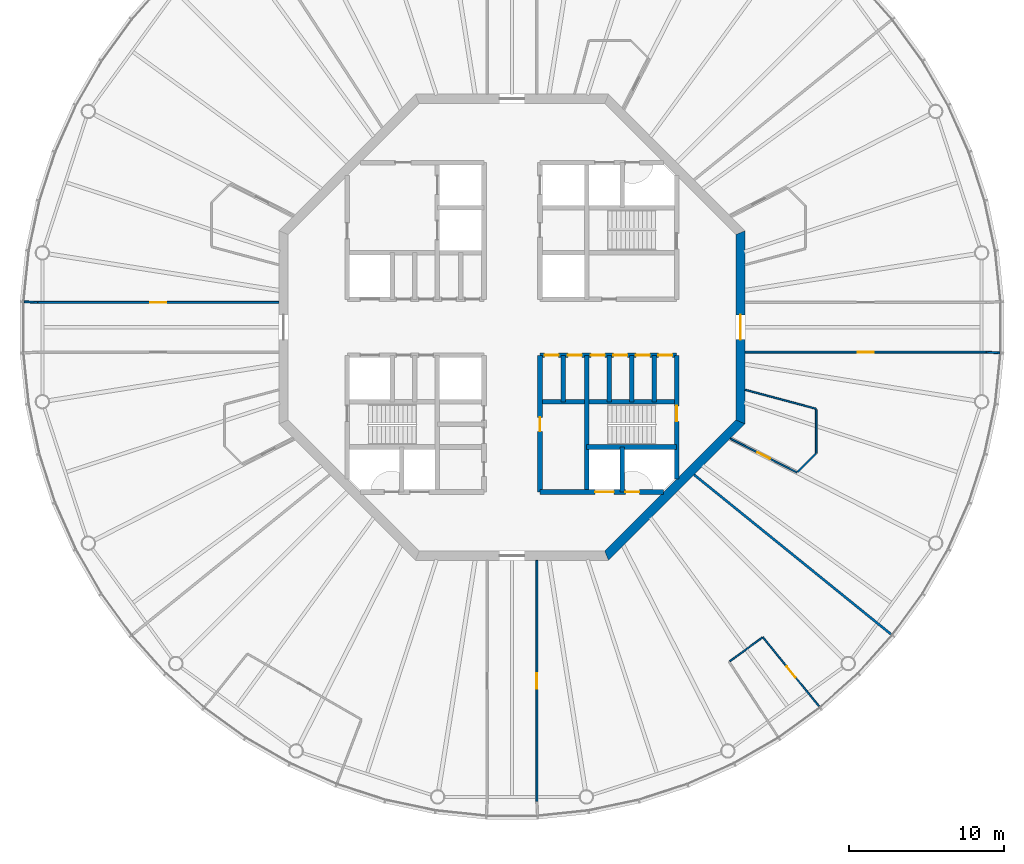
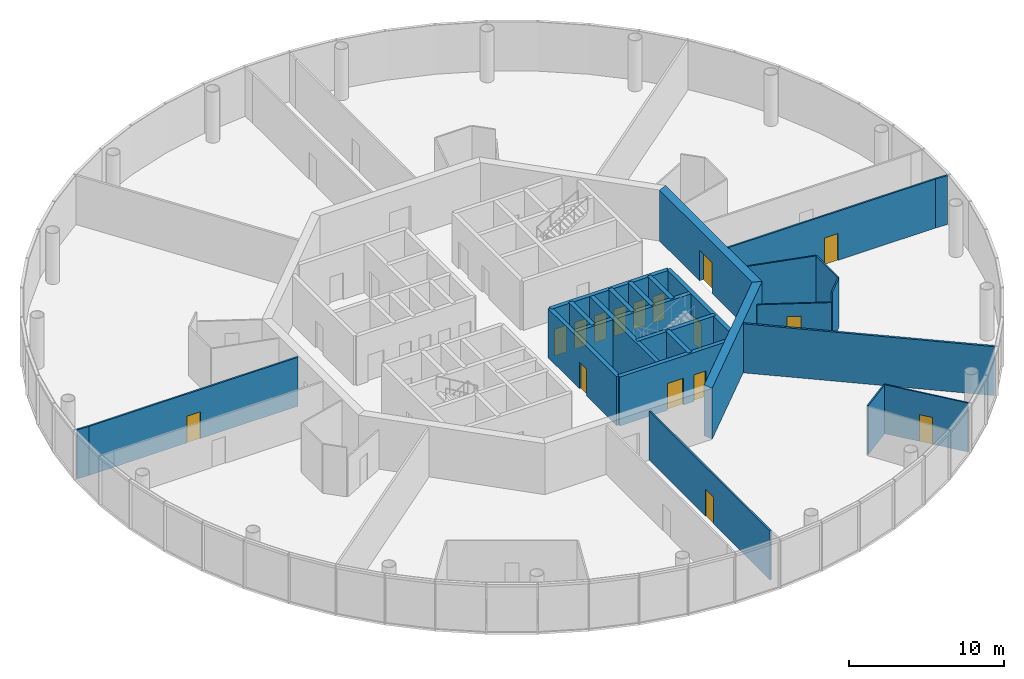
# One storey, part 4 of 13: 26 walls, 16 doors, 16 openings.
"""IFC4 building model written with IfcOpenShell, lengths in metres."""

from ifc_helpers import new_model, si_unit, direction, frame, frame_2d, origin, place, context, subcontext, project, spatial, polyline, rectangle, outline, extrude, material, layer, layer_set, type_object, element, fill, save


model = new_model("IFC4")

# Units and contexts
model_context = context("Model", 3, precision=1e-05, world=origin(), true_north=direction((0.0, 1.0)))
body_context = subcontext(model_context, "Body", "Model", "MODEL_VIEW")
ifc_project = project(units=[si_unit("LENGTHUNIT", "METRE"), si_unit("AREAUNIT", "SQUARE_METRE"), si_unit("VOLUMEUNIT", "CUBIC_METRE"), si_unit("PLANEANGLEUNIT", "RADIAN"), si_unit("MASSUNIT", "GRAM", prefix="KILO")], contexts=[model_context])

# Site, building, storey
site_placement = place(None, origin())
site = spatial("IfcSite", under=ifc_project, at=site_placement, CompositionType="ELEMENT")
building_placement = place(site_placement, origin())
building = spatial("IfcBuilding", under=site, at=building_placement, Name="Entoto Ring Tower", CompositionType="ELEMENT")
storey_placement = place(building_placement, frame((0.0, 0.0, 344.0)))
storey = spatial("IfcBuildingStorey", under=building, at=storey_placement, Name="L79", CompositionType="ELEMENT", Elevation=344.0)

# Wall, opening, door
ifc_material_1 = material(Name="Concrete C40/50", Category="concrete")
ifc_layer_1 = layer(ifc_material_1, 0.300048828125)
ifc_layer_set_1 = layer_set([ifc_layer_1], Name="Concrete C40/50")
wall_type_1 = type_object("IfcWallType", Name="Core enclosure wall 300 mm reinforced concrete", PredefinedType="SOLIDWALL", material=ifc_layer_set_1)
wall_1_placement = place(storey_placement, frame((100.60009765625, 70.2353515625, 0.0), z_axis=(0.0, 0.0, 1.0), x_axis=(0.0, 1.0, 0.0)))
wall_1 = element("IfcWall", 1, at=wall_1_placement, inside=storey, type_object=wall_type_1, Name="wall-L79-001", PredefinedType="SOLIDWALL", context=body_context, shape_type="SweptSolid", body=[
    extrude(rectangle(XDim=7.964599609375, YDim=0.300048828125, at=frame_2d((3.982421875, 0.0))), origin(), (0.0, 0.0, 1.0), 3.85009765625),
])
opening_1_placement = place(wall_1_placement, frame((3.714599609375, 0.0, 0.0)))
opening_1 = element("IfcOpeningElement", 2, at=opening_1_placement, cuts=wall_1, Name="Opening K-31", PredefinedType="OPENING", context=body_context, shape_type="SweptSolid", body=[
    extrude(rectangle(XDim=1.0, YDim=2.10009765625, at=frame_2d((0.5, 1.050048828125))), frame((0.0, 0.16015625, 0.0), z_axis=(0.0, -1.0, 0.0), x_axis=(1.0, 0.0, 0.0)), (0.0, 0.0, 1.0), 0.320068359375),
])
ifc_material_2 = material(Name="Steel door leaf, fire rated", Category="steel")
ifc_layer_2 = layer(ifc_material_2, 0.050048828125)
ifc_layer_set_2 = layer_set([ifc_layer_2], Name="Steel door leaf, fire rated")
door_type_1 = type_object("IfcDoorType", Name="Fire door FD60 1000 x 2100 single leaf", OperationType="NOTDEFINED", PredefinedType="DOOR", material=ifc_layer_set_2)
door_1_placement = place(opening_1_placement, origin())
door_1 = element("IfcDoor", 3, at=door_1_placement, inside=storey, type_object=door_type_1, Name="Door K-31", OperationType="SINGLE_SWING_RIGHT", OverallHeight=2.10009765625, OverallWidth=1.0, PredefinedType="DOOR", context=body_context, shape_type="SweptSolid", body=[
    extrude(rectangle(XDim=1.0, YDim=2.10009765625, at=frame_2d((0.5, 1.050048828125))), frame((0.0, 0.02490234375, 0.0), z_axis=(0.0, -1.0, 0.0), x_axis=(1.0, 0.0, 0.0)), (0.0, 0.0, 1.0), 0.050048828125),
])
fill(opening_1, door_1)

# Walls
for number, where, z_axis, x_axis, name in (
    (4, (99.14990234375, 75.199951171875, 0.0), (0.0, 0.0, 1.0), (0.0, 1.0, 0.0), "wall-L79-003"),
    (5, (97.699951171875, 75.199951171875, 0.0), (0.0, 0.0, 1.0), (0.0, 1.0, 0.0), "wall-L79-004"),
):
    element("IfcWall", number, at=place(storey_placement, frame(where, z_axis=z_axis, x_axis=x_axis)), inside=storey, type_object=wall_type_1, Name=name, PredefinedType="SOLIDWALL", context=body_context, shape_type="SweptSolid", body=[
        extrude(rectangle(XDim=3.0, YDim=0.300048828125, at=frame_2d((1.5, 0.0))), origin(), (0.0, 0.0, 1.0), 3.85009765625),
    ])
wall_2_placement = place(storey_placement, frame((97.10009765625, 69.39990234375, 0.0), z_axis=(0.0, 0.0, 1.0), x_axis=(0.0, 1.0, 0.0)))
element("IfcWall", 6, at=wall_2_placement, inside=storey, type_object=wall_type_1, Name="wall-L79-005", PredefinedType="SOLIDWALL", context=body_context, shape_type="SweptSolid", body=[
    extrude(rectangle(XDim=2.900146484375, YDim=0.300048828125, at=frame_2d((1.4501953125, 0.0))), origin(), (0.0, 0.0, 1.0), 3.85009765625),
])
wall_3_placement = place(storey_placement, frame((96.25, 75.199951171875, 0.0), z_axis=(0.0, 0.0, 1.0), x_axis=(0.0, 1.0, 0.0)))
element("IfcWall", 7, at=wall_3_placement, inside=storey, type_object=wall_type_1, Name="wall-L79-007", PredefinedType="SOLIDWALL", context=body_context, shape_type="SweptSolid", body=[
    extrude(rectangle(XDim=3.0, YDim=0.300048828125, at=frame_2d((1.5, 0.0))), origin(), (0.0, 0.0, 1.0), 3.85009765625),
])
wall_4_placement = place(storey_placement, frame((94.800048828125, 69.39990234375, 0.0), z_axis=(0.0, 0.0, 1.0), x_axis=(0.0, 1.0, 0.0)))
element("IfcWall", 8, at=wall_4_placement, inside=storey, type_object=wall_type_1, Name="wall-L79-008", PredefinedType="SOLIDWALL", context=body_context, shape_type="SweptSolid", body=[
    extrude(rectangle(XDim=8.800048828125, YDim=0.300048828125, at=frame_2d((4.39990234375, 0.0))), origin(), (0.0, 0.0, 1.0), 3.85009765625),
])
wall_5_placement = place(storey_placement, frame((93.300048828125, 75.199951171875, 0.0), z_axis=(0.0, 0.0, 1.0), x_axis=(0.0, 1.0, 0.0)))
element("IfcWall", 9, at=wall_5_placement, inside=storey, type_object=wall_type_1, Name="wall-L79-010", PredefinedType="SOLIDWALL", context=body_context, shape_type="SweptSolid", body=[
    extrude(rectangle(XDim=3.0, YDim=0.300048828125, at=frame_2d((1.5, 0.0))), origin(), (0.0, 0.0, 1.0), 3.85009765625),
])

# Wall, opening, door
wall_6_placement = place(storey_placement, frame((91.800048828125, 69.39990234375, 0.0), z_axis=(0.0, 0.0, 1.0), x_axis=(0.0, 1.0, 0.0)))
wall_6 = element("IfcWall", 10, at=wall_6_placement, inside=storey, type_object=wall_type_1, Name="wall-L79-011", PredefinedType="SOLIDWALL", context=body_context, shape_type="SweptSolid", body=[
    extrude(rectangle(XDim=8.800048828125, YDim=0.300048828125, at=frame_2d((4.39990234375, 0.0))), origin(), (0.0, 0.0, 1.0), 3.85009765625),
])
opening_2_placement = place(wall_6_placement, frame((3.89990234375, 0.0, 0.0)))
opening_2 = element("IfcOpeningElement", 11, at=opening_2_placement, cuts=wall_6, Name="Opening K-21", PredefinedType="OPENING", context=body_context, shape_type="SweptSolid", body=[
    extrude(rectangle(XDim=0.89990234375, YDim=2.10009765625, at=frame_2d((0.449951171875, 1.050048828125))), frame((0.0, 0.16015625, 0.0), z_axis=(0.0, -1.0, 0.0), x_axis=(1.0, 0.0, 0.0)), (0.0, 0.0, 1.0), 0.320068359375),
])
ifc_material_3 = material(Name="Steel door leaf, fire rated", Category="steel")
ifc_layer_3 = layer(ifc_material_3, 0.050048828125)
ifc_layer_set_3 = layer_set([ifc_layer_3], Name="Steel door leaf, fire rated")
door_type_2 = type_object("IfcDoorType", Name="Core door 900 x 2100 single leaf", OperationType="NOTDEFINED", PredefinedType="DOOR", material=ifc_layer_set_3)
door_2_placement = place(opening_2_placement, frame((0.89990234375, 0.0, 0.0), z_axis=(0.0, 0.0, 1.0), x_axis=(-1.0, 0.0, 0.0)))
door_2 = element("IfcDoor", 12, at=door_2_placement, inside=storey, type_object=door_type_2, Name="Door K-21", OperationType="SINGLE_SWING_LEFT", OverallHeight=2.10009765625, OverallWidth=0.89990234375, PredefinedType="DOOR", context=body_context, shape_type="SweptSolid", body=[
    extrude(rectangle(XDim=0.89990234375, YDim=2.10009765625, at=frame_2d((0.449951171875, 1.050048828125))), frame((0.0, 0.02490234375, 0.0), z_axis=(0.0, -1.0, 0.0), x_axis=(1.0, 0.0, 0.0)), (0.0, 0.0, 1.0), 0.050048828125),
])
fill(opening_2, door_2)

# Wall, openings, doors
wall_7_placement = place(storey_placement, frame((91.800048828125, 69.39990234375, 0.0), z_axis=(0.0, 0.0, 1.0), x_axis=(1.0, 0.0, 0.0)))
wall_7 = element("IfcWall", 13, at=wall_7_placement, inside=storey, type_object=wall_type_1, Name="wall-L79-026", PredefinedType="SOLIDWALL", context=body_context, shape_type="SweptSolid", body=[
    extrude(rectangle(XDim=7.964599609375, YDim=0.300048828125, at=frame_2d((3.982421875, 0.0))), origin(), (0.0, 0.0, 1.0), 3.85009765625),
])
opening_3_placement = place(wall_7_placement, frame((3.550048828125, 0.0, 0.0)))
opening_3 = element("IfcOpeningElement", 14, at=opening_3_placement, cuts=wall_7, Name="Opening LD", PredefinedType="OPENING", context=body_context, shape_type="SweptSolid", body=[
    extrude(rectangle(XDim=1.199951171875, YDim=2.10009765625, at=frame_2d((0.60009765625, 1.050048828125))), frame((0.0, 0.16015625, 0.0), z_axis=(0.0, -1.0, 0.0), x_axis=(1.0, 0.0, 0.0)), (0.0, 0.0, 1.0), 0.320068359375),
])
opening_4_placement = place(wall_7_placement, frame((5.5, 0.0, 0.0)))
opening_4 = element("IfcOpeningElement", 15, at=opening_4_placement, cuts=wall_7, Name="Opening K-34", PredefinedType="OPENING", context=body_context, shape_type="SweptSolid", body=[
    extrude(rectangle(XDim=0.89990234375, YDim=2.10009765625, at=frame_2d((0.449951171875, 1.050048828125))), frame((0.0, 0.16015625, 0.0), z_axis=(0.0, -1.0, 0.0), x_axis=(1.0, 0.0, 0.0)), (0.0, 0.0, 1.0), 0.320068359375),
])
ifc_material_4 = material(Name="Steel and glass door leaf", Category="steel")
ifc_layer_4 = layer(ifc_material_4, 0.050048828125)
ifc_layer_set_4 = layer_set([ifc_layer_4], Name="Steel and glass door leaf")
door_type_3 = type_object("IfcDoorType", Name="Landing door 1200 x 2100 sliding", OperationType="DOUBLE_DOOR_SLIDING", PredefinedType="DOOR", material=ifc_layer_set_4)
door_3_placement = place(opening_3_placement, origin())
door_3 = element("IfcDoor", 16, at=door_3_placement, inside=storey, type_object=door_type_3, Name="Landing door LB2-HR", OperationType="SLIDING_TO_RIGHT", OverallHeight=2.10009765625, OverallWidth=1.199951171875, PredefinedType="DOOR", context=body_context, shape_type="SweptSolid", body=[
    extrude(rectangle(XDim=1.199951171875, YDim=2.10009765625, at=frame_2d((0.60009765625, 1.050048828125))), frame((0.0, 0.02490234375, 0.0), z_axis=(0.0, -1.0, 0.0), x_axis=(1.0, 0.0, 0.0)), (0.0, 0.0, 1.0), 0.050048828125),
])
fill(opening_3, door_3)
ifc_material_5 = material(Name="Steel door leaf, fire rated", Category="steel")
ifc_layer_5 = layer(ifc_material_5, 0.050048828125)
ifc_layer_set_5 = layer_set([ifc_layer_5], Name="Steel door leaf, fire rated")
door_type_4 = type_object("IfcDoorType", Name="Riser door FD60 900 x 2100 single leaf", OperationType="NOTDEFINED", PredefinedType="DOOR", material=ifc_layer_set_5)
door_4_placement = place(opening_4_placement, origin())
door_4 = element("IfcDoor", 17, at=door_4_placement, inside=storey, type_object=door_type_4, Name="Door K-34", OperationType="SINGLE_SWING_LEFT", OverallHeight=2.10009765625, OverallWidth=0.89990234375, PredefinedType="DOOR", context=body_context, shape_type="SweptSolid", body=[
    extrude(rectangle(XDim=0.89990234375, YDim=2.10009765625, at=frame_2d((0.449951171875, 1.050048828125))), frame((0.0, 0.02490234375, 0.0), z_axis=(0.0, -1.0, 0.0), x_axis=(1.0, 0.0, 0.0)), (0.0, 0.0, 1.0), 0.050048828125),
])
fill(opening_4, door_4)

# Walls
wall_8_placement = place(storey_placement, frame((94.800048828125, 72.300048828125, 0.0), z_axis=(0.0, 0.0, 1.0), x_axis=(1.0, 0.0, 0.0)))
element("IfcWall", 18, at=wall_8_placement, inside=storey, type_object=wall_type_1, Name="wall-L79-028", PredefinedType="SOLIDWALL", context=body_context, shape_type="SweptSolid", body=[
    extrude(rectangle(XDim=5.800048828125, YDim=0.300048828125, at=frame_2d((2.89990234375, 0.0))), origin(), (0.0, 0.0, 1.0), 3.85009765625),
])
wall_9_placement = place(storey_placement, frame((91.800048828125, 75.199951171875, 0.0), z_axis=(0.0, 0.0, 1.0), x_axis=(1.0, 0.0, 0.0)))
element("IfcWall", 19, at=wall_9_placement, inside=storey, type_object=wall_type_1, Name="wall-L79-031", PredefinedType="SOLIDWALL", context=body_context, shape_type="SweptSolid", body=[
    extrude(rectangle(XDim=8.800048828125, YDim=0.300048828125, at=frame_2d((4.39990234375, 0.0))), origin(), (0.0, 0.0, 1.0), 3.85009765625),
])

# Wall, openings, doors
wall_10_placement = place(storey_placement, frame((91.800048828125, 78.199951171875, 0.0), z_axis=(0.0, 0.0, 1.0), x_axis=(1.0, 0.0, 0.0)))
wall_10 = element("IfcWall", 20, at=wall_10_placement, inside=storey, type_object=wall_type_1, Name="wall-L79-033", PredefinedType="SOLIDWALL", context=body_context, shape_type="SweptSolid", body=[
    extrude(rectangle(XDim=8.800048828125, YDim=0.300048828125, at=frame_2d((4.39990234375, 0.0))), origin(), (0.0, 0.0, 1.0), 3.85009765625),
])
opening_5_placement = place(wall_10_placement, frame((3.27490234375, 0.0, 0.0)))
opening_5 = element("IfcOpeningElement", 21, at=opening_5_placement, cuts=wall_10, Name="Opening K-14", PredefinedType="OPENING", context=body_context, shape_type="SweptSolid", body=[
    extrude(rectangle(XDim=0.89990234375, YDim=2.10009765625, at=frame_2d((0.449951171875, 1.050048828125))), frame((0.0, 0.16015625, 0.0), z_axis=(0.0, -1.0, 0.0), x_axis=(1.0, 0.0, 0.0)), (0.0, 0.0, 1.0), 0.320068359375),
])
opening_6_placement = place(wall_10_placement, frame((4.72509765625, 0.0, 0.0)))
opening_6 = element("IfcOpeningElement", 22, at=opening_6_placement, cuts=wall_10, Name="Opening K-15", PredefinedType="OPENING", context=body_context, shape_type="SweptSolid", body=[
    extrude(rectangle(XDim=0.89990234375, YDim=2.10009765625, at=frame_2d((0.449951171875, 1.050048828125))), frame((0.0, 0.16015625, 0.0), z_axis=(0.0, -1.0, 0.0), x_axis=(1.0, 0.0, 0.0)), (0.0, 0.0, 1.0), 0.320068359375),
])
opening_7_placement = place(wall_10_placement, frame((6.175048828125, 0.0, 0.0)))
opening_7 = element("IfcOpeningElement", 23, at=opening_7_placement, cuts=wall_10, Name="Opening K-16", PredefinedType="OPENING", context=body_context, shape_type="SweptSolid", body=[
    extrude(rectangle(XDim=0.89990234375, YDim=2.10009765625, at=frame_2d((0.449951171875, 1.050048828125))), frame((0.0, 0.16015625, 0.0), z_axis=(0.0, -1.0, 0.0), x_axis=(1.0, 0.0, 0.0)), (0.0, 0.0, 1.0), 0.320068359375),
])
opening_8_placement = place(wall_10_placement, frame((7.625, 0.0, 0.0)))
opening_8 = element("IfcOpeningElement", 24, at=opening_8_placement, cuts=wall_10, Name="Opening K-57", PredefinedType="OPENING", context=body_context, shape_type="SweptSolid", body=[
    extrude(rectangle(XDim=0.89990234375, YDim=2.10009765625, at=frame_2d((0.449951171875, 1.050048828125))), frame((0.0, 0.16015625, 0.0), z_axis=(0.0, -1.0, 0.0), x_axis=(1.0, 0.0, 0.0)), (0.0, 0.0, 1.0), 0.320068359375),
])
opening_9_placement = place(wall_10_placement, frame((0.300048828125, 0.0, 0.0)))
opening_9 = element("IfcOpeningElement", 25, at=opening_9_placement, cuts=wall_10, Name="Opening K-79", PredefinedType="OPENING", context=body_context, shape_type="SweptSolid", body=[
    extrude(rectangle(XDim=0.89990234375, YDim=2.10009765625, at=frame_2d((0.449951171875, 1.050048828125))), frame((0.0, 0.16015625, 0.0), z_axis=(0.0, -1.0, 0.0), x_axis=(1.0, 0.0, 0.0)), (0.0, 0.0, 1.0), 0.320068359375),
])
opening_10_placement = place(wall_10_placement, frame((1.800048828125, 0.0, 0.0)))
opening_10 = element("IfcOpeningElement", 26, at=opening_10_placement, cuts=wall_10, Name="Opening K-81", PredefinedType="OPENING", context=body_context, shape_type="SweptSolid", body=[
    extrude(rectangle(XDim=0.89990234375, YDim=2.10009765625, at=frame_2d((0.449951171875, 1.050048828125))), frame((0.0, 0.16015625, 0.0), z_axis=(0.0, -1.0, 0.0), x_axis=(1.0, 0.0, 0.0)), (0.0, 0.0, 1.0), 0.320068359375),
])
door_5_placement = place(opening_5_placement, frame((0.89990234375, 0.0, 0.0), z_axis=(0.0, 0.0, 1.0), x_axis=(-1.0, 0.0, 0.0)))
door_5 = element("IfcDoor", 27, at=door_5_placement, inside=storey, type_object=door_type_2, Name="Door K-14", OperationType="SINGLE_SWING_LEFT", OverallHeight=2.10009765625, OverallWidth=0.89990234375, PredefinedType="DOOR", context=body_context, shape_type="SweptSolid", body=[
    extrude(rectangle(XDim=0.89990234375, YDim=2.10009765625, at=frame_2d((0.449951171875, 1.050048828125))), frame((0.0, 0.02490234375, 0.0), z_axis=(0.0, -1.0, 0.0), x_axis=(1.0, 0.0, 0.0)), (0.0, 0.0, 1.0), 0.050048828125),
])
fill(opening_5, door_5)
door_6_placement = place(opening_6_placement, frame((0.89990234375, 0.0, 0.0), z_axis=(0.0, 0.0, 1.0), x_axis=(-1.0, 0.0, 0.0)))
door_6 = element("IfcDoor", 28, at=door_6_placement, inside=storey, type_object=door_type_2, Name="Door K-15", OperationType="SINGLE_SWING_RIGHT", OverallHeight=2.10009765625, OverallWidth=0.89990234375, PredefinedType="DOOR", context=body_context, shape_type="SweptSolid", body=[
    extrude(rectangle(XDim=0.89990234375, YDim=2.10009765625, at=frame_2d((0.449951171875, 1.050048828125))), frame((0.0, 0.02490234375, 0.0), z_axis=(0.0, -1.0, 0.0), x_axis=(1.0, 0.0, 0.0)), (0.0, 0.0, 1.0), 0.050048828125),
])
fill(opening_6, door_6)
door_7_placement = place(opening_7_placement, frame((0.89990234375, 0.0, 0.0), z_axis=(0.0, 0.0, 1.0), x_axis=(-1.0, 0.0, 0.0)))
door_7 = element("IfcDoor", 29, at=door_7_placement, inside=storey, type_object=door_type_2, Name="Door K-16", OperationType="SINGLE_SWING_RIGHT", OverallHeight=2.10009765625, OverallWidth=0.89990234375, PredefinedType="DOOR", context=body_context, shape_type="SweptSolid", body=[
    extrude(rectangle(XDim=0.89990234375, YDim=2.10009765625, at=frame_2d((0.449951171875, 1.050048828125))), frame((0.0, 0.02490234375, 0.0), z_axis=(0.0, -1.0, 0.0), x_axis=(1.0, 0.0, 0.0)), (0.0, 0.0, 1.0), 0.050048828125),
])
fill(opening_7, door_7)
door_8_placement = place(opening_8_placement, frame((0.89990234375, 0.0, 0.0), z_axis=(0.0, 0.0, 1.0), x_axis=(-1.0, 0.0, 0.0)))
door_8 = element("IfcDoor", 30, at=door_8_placement, inside=storey, type_object=door_type_2, Name="Door K-57", OperationType="SINGLE_SWING_RIGHT", OverallHeight=2.10009765625, OverallWidth=0.89990234375, PredefinedType="DOOR", context=body_context, shape_type="SweptSolid", body=[
    extrude(rectangle(XDim=0.89990234375, YDim=2.10009765625, at=frame_2d((0.449951171875, 1.050048828125))), frame((0.0, 0.02490234375, 0.0), z_axis=(0.0, -1.0, 0.0), x_axis=(1.0, 0.0, 0.0)), (0.0, 0.0, 1.0), 0.050048828125),
])
fill(opening_8, door_8)
door_9_placement = place(opening_9_placement, frame((0.89990234375, 0.0, 0.0), z_axis=(0.0, 0.0, 1.0), x_axis=(-1.0, 0.0, 0.0)))
door_9 = element("IfcDoor", 31, at=door_9_placement, inside=storey, type_object=door_type_2, Name="Door K-79", OperationType="SINGLE_SWING_RIGHT", OverallHeight=2.10009765625, OverallWidth=0.89990234375, PredefinedType="DOOR", context=body_context, shape_type="SweptSolid", body=[
    extrude(rectangle(XDim=0.89990234375, YDim=2.10009765625, at=frame_2d((0.449951171875, 1.050048828125))), frame((0.0, 0.02490234375, 0.0), z_axis=(0.0, -1.0, 0.0), x_axis=(1.0, 0.0, 0.0)), (0.0, 0.0, 1.0), 0.050048828125),
])
fill(opening_9, door_9)
door_10_placement = place(opening_10_placement, frame((0.89990234375, 0.0, 0.0), z_axis=(0.0, 0.0, 1.0), x_axis=(-1.0, 0.0, 0.0)))
door_10 = element("IfcDoor", 32, at=door_10_placement, inside=storey, type_object=door_type_2, Name="Door K-81", OperationType="SINGLE_SWING_RIGHT", OverallHeight=2.10009765625, OverallWidth=0.89990234375, PredefinedType="DOOR", context=body_context, shape_type="SweptSolid", body=[
    extrude(rectangle(XDim=0.89990234375, YDim=2.10009765625, at=frame_2d((0.449951171875, 1.050048828125))), frame((0.0, 0.02490234375, 0.0), z_axis=(0.0, -1.0, 0.0), x_axis=(1.0, 0.0, 0.0)), (0.0, 0.0, 1.0), 0.050048828125),
])
fill(opening_10, door_10)

# Wall, opening, door
ifc_material_6 = material(Name="Concrete C40/50", Category="concrete")
ifc_layer_6 = layer(ifc_material_6, 0.60009765625)
ifc_layer_set_6 = layer_set([ifc_layer_6], Name="Concrete C40/50")
wall_type_2 = type_object("IfcWallType", Name="Core shear wall 600 mm reinforced concrete C40/50", PredefinedType="SHEAR", material=ifc_layer_set_6)
wall_11_placement = place(storey_placement, frame((104.699951171875, 73.9111328125, 0.0), z_axis=(0.0, 0.0, 1.0), x_axis=(0.0, 1.0, 0.0)))
wall_11 = element("IfcWall", 33, at=wall_11_placement, inside=storey, type_object=wall_type_2, Name="wall-L79-core-0", PredefinedType="SHEAR", context=body_context, shape_type="SweptSolid", body=[
    extrude(outline(polyline([(-0.124267578125, -0.300048828125), (12.302001953125, -0.300048828125), (12.053466796875, 0.300048828125), (0.124267578125, 0.300048828125), (-0.124267578125, -0.300048828125)])), origin(), (0.0, 0.0, 1.0), 4.0),
])
opening_11_placement = place(wall_11_placement, frame((5.288818359375, 0.0, 0.0)))
opening_11 = element("IfcOpeningElement", 34, at=opening_11_placement, cuts=wall_11, Name="Opening K-01", PredefinedType="OPENING", context=body_context, shape_type="SweptSolid", body=[
    extrude(rectangle(XDim=1.60009765625, YDim=2.39990234375, at=frame_2d((0.800048828125, 1.199951171875))), frame((0.0, 0.31005859375, 0.0), z_axis=(0.0, -1.0, 0.0), x_axis=(1.0, 0.0, 0.0)), (0.0, 0.0, 1.0), 0.6201171875),
])
ifc_material_7 = material(Name="Steel door leaf, fire rated", Category="steel")
ifc_layer_7 = layer(ifc_material_7, 0.050048828125)
ifc_layer_set_7 = layer_set([ifc_layer_7], Name="Steel door leaf, fire rated")
door_type_5 = type_object("IfcDoorType", Name="Entrance door FD60 1600 x 2400 double leaf", OperationType="DOUBLE_DOOR_SINGLE_SWING", PredefinedType="DOOR", material=ifc_layer_set_7)
door_11_placement = place(opening_11_placement, origin())
door_11 = element("IfcDoor", 35, at=door_11_placement, inside=storey, type_object=door_type_5, Name="Entrance door K-01", OperationType="DOUBLE_DOOR_SINGLE_SWING", OverallHeight=2.39990234375, OverallWidth=1.60009765625, PredefinedType="DOOR", context=body_context, shape_type="SweptSolid", body=[
    extrude(rectangle(XDim=1.60009765625, YDim=2.39990234375, at=frame_2d((0.800048828125, 1.199951171875))), frame((0.0, 0.02490234375, 0.0), z_axis=(0.0, -1.0, 0.0), x_axis=(1.0, 0.0, 0.0)), (0.0, 0.0, 1.0), 0.050048828125),
])
fill(opening_11, door_11)

# Wall
wall_12_placement = place(storey_placement, frame((96.0888671875, 65.300048828125, 0.0), z_axis=(0.0, 0.0, 1.0), x_axis=(0.707106781187, 0.707106781187, 0.0)))
element("IfcWall", 36, at=wall_12_placement, inside=storey, type_object=wall_type_2, Name="wall-L79-core-7", PredefinedType="SHEAR", context=body_context, shape_type="SweptSolid", body=[
    extrude(outline(polyline([(-0.124267578125, -0.300048828125), (12.30224609375, -0.300048828125), (12.0537109375, 0.300048828125), (0.124267578125, 0.300048828125), (-0.124267578125, -0.300048828125)])), origin(), (0.0, 0.0, 1.0), 4.0),
])

# Wall, opening, door
ifc_material_8 = material(Name="Fire-resisting plasterboard on steel studs", Category="steel")
ifc_layer_8 = layer(ifc_material_8, 0.125)
ifc_layer_set_8 = layer_set([ifc_layer_8], Name="Fire-resisting plasterboard on steel studs")
wall_type_3 = type_object("IfcWallType", Name="Corridor wall 125 mm one-hour plasterboard on steel studs", PredefinedType="PARTITIONING", material=ifc_layer_set_8)
wall_13_placement = place(storey_placement, frame((59.47021484375, 81.60009765625, 0.0), z_axis=(0.0, 0.0, 1.0), x_axis=(1.0, 0.0, 0.0)))
wall_13 = element("IfcWall", 37, at=wall_13_placement, inside=storey, type_object=wall_type_3, Name="partition-L79-002", PredefinedType="PARTITIONING", context=body_context, shape_type="SweptSolid", body=[
    extrude(rectangle(XDim=15.52978515625, YDim=0.125, at=frame_2d((7.764892578125, 0.0))), origin(), (0.0, 0.0, 1.0), 3.85009765625),
])
opening_12_placement = place(wall_13_placement, frame((7.264892578125, 0.0, 0.0)))
opening_12 = element("IfcOpeningElement", 38, at=opening_12_placement, cuts=wall_13, Name="Opening A34-D06", PredefinedType="OPENING", context=body_context, shape_type="SweptSolid", body=[
    extrude(rectangle(XDim=1.0, YDim=2.10009765625, at=frame_2d((0.5, 1.050048828125))), frame((0.0, 0.072509765625, 0.0), z_axis=(0.0, -1.0, 0.0), x_axis=(1.0, 0.0, 0.0)), (0.0, 0.0, 1.0), 0.14501953125),
])
ifc_material_9 = material(Name="Fire-resisting timber door set", Category="wood")
door_type_6 = type_object("IfcDoorType", Name="Door 1000 x 2100 single leaf FD30S fire door", OperationType="NOTDEFINED", PredefinedType="DOOR", material=ifc_material_9)
door_12_placement = place(opening_12_placement, origin())
door_12 = element("IfcDoor", 39, at=door_12_placement, inside=storey, type_object=door_type_6, Name="Door A34-D06", OperationType="SINGLE_SWING_RIGHT", OverallHeight=2.10009765625, OverallWidth=1.0, PredefinedType="DOOR", context=body_context, shape_type="SweptSolid", body=[
    extrude(rectangle(XDim=1.0, YDim=2.10009765625, at=frame_2d((0.5, 1.050048828125))), frame((0.0, 0.02490234375, 0.0), z_axis=(0.0, -1.0, 0.0), x_axis=(1.0, 0.0, 0.0)), (0.0, 0.0, 1.0), 0.050048828125),
])
fill(opening_12, door_12)

wall_14_placement = place(storey_placement, frame((91.60009765625, 49.47021484375, 0.0), z_axis=(0.0, 0.0, 1.0), x_axis=(0.0, 1.0, 0.0)))
wall_14 = element("IfcWall", 40, at=wall_14_placement, inside=storey, type_object=wall_type_3, Name="partition-L79-005", PredefinedType="PARTITIONING", context=body_context, shape_type="SweptSolid", body=[
    extrude(rectangle(XDim=15.52978515625, YDim=0.125, at=frame_2d((7.764892578125, 0.0))), origin(), (0.0, 0.0, 1.0), 3.85009765625),
])
opening_13_placement = place(wall_14_placement, frame((7.264892578125, 0.0, 0.0)))
opening_13 = element("IfcOpeningElement", 41, at=opening_13_placement, cuts=wall_14, Name="Opening A34-D12", PredefinedType="OPENING", context=body_context, shape_type="SweptSolid", body=[
    extrude(rectangle(XDim=1.0, YDim=2.10009765625, at=frame_2d((0.5, 1.050048828125))), frame((0.0, 0.072509765625, 0.0), z_axis=(0.0, -1.0, 0.0), x_axis=(1.0, 0.0, 0.0)), (0.0, 0.0, 1.0), 0.14501953125),
])
door_13_placement = place(opening_13_placement, frame((1.0, 0.0, 0.0), z_axis=(0.0, 0.0, 1.0), x_axis=(-1.0, 0.0, 0.0)))
door_13 = element("IfcDoor", 42, at=door_13_placement, inside=storey, type_object=door_type_6, Name="Door A34-D12", OperationType="SINGLE_SWING_LEFT", OverallHeight=2.10009765625, OverallWidth=1.0, PredefinedType="DOOR", context=body_context, shape_type="SweptSolid", body=[
    extrude(rectangle(XDim=1.0, YDim=2.10009765625, at=frame_2d((0.5, 1.050048828125))), frame((0.0, 0.02490234375, 0.0), z_axis=(0.0, -1.0, 0.0), x_axis=(1.0, 0.0, 0.0)), (0.0, 0.0, 1.0), 0.050048828125),
])
fill(opening_13, door_13)

wall_15_placement = place(storey_placement, frame((105.0, 78.39990234375, 0.0), z_axis=(0.0, 0.0, 1.0), x_axis=(1.0, 0.0, 0.0)))
wall_15 = element("IfcWall", 43, at=wall_15_placement, inside=storey, type_object=wall_type_3, Name="partition-L79-007", PredefinedType="PARTITIONING", context=body_context, shape_type="SweptSolid", body=[
    extrude(rectangle(XDim=15.52978515625, YDim=0.125, at=frame_2d((7.764892578125, 0.0))), origin(), (0.0, 0.0, 1.0), 3.85009765625),
])
opening_14_placement = place(wall_15_placement, frame((7.264892578125, 0.0, 0.0)))
opening_14 = element("IfcOpeningElement", 44, at=opening_14_placement, cuts=wall_15, Name="Opening A34-D14", PredefinedType="OPENING", context=body_context, shape_type="SweptSolid", body=[
    extrude(rectangle(XDim=1.0, YDim=2.10009765625, at=frame_2d((0.5, 1.050048828125))), frame((0.0, 0.072509765625, 0.0), z_axis=(0.0, -1.0, 0.0), x_axis=(1.0, 0.0, 0.0)), (0.0, 0.0, 1.0), 0.14501953125),
])
door_14_placement = place(opening_14_placement, frame((1.0, 0.0, 0.0), z_axis=(0.0, 0.0, 1.0), x_axis=(-1.0, 0.0, 0.0)))
door_14 = element("IfcDoor", 45, at=door_14_placement, inside=storey, type_object=door_type_6, Name="Door A34-D14", OperationType="SINGLE_SWING_RIGHT", OverallHeight=2.10009765625, OverallWidth=1.0, PredefinedType="DOOR", context=body_context, shape_type="SweptSolid", body=[
    extrude(rectangle(XDim=1.0, YDim=2.10009765625, at=frame_2d((0.5, 1.050048828125))), frame((0.0, 0.02490234375, 0.0), z_axis=(0.0, -1.0, 0.0), x_axis=(1.0, 0.0, 0.0)), (0.0, 0.0, 1.0), 0.050048828125),
])
fill(opening_14, door_14)

# Walls
for number, where, z_axis, x_axis, name in (
    (46, (59.466796875, 81.60009765625, 0.0), (0.0, 0.0, 1.0), (-0.998620946423, 0.052499574911, 0.0), "partition-L79-010"),
    (47, (121.39697265625, 78.3544921875, 0.0), (0.0, 0.0, 1.0), (-0.998620946423, 0.052499574911, 0.0), "partition-L79-016"),
):
    element("IfcWall", number, at=place(storey_placement, frame(where, z_axis=z_axis, x_axis=x_axis)), inside=storey, type_object=wall_type_3, Name=name, PredefinedType="PARTITIONING", context=body_context, shape_type="SweptSolid", body=[
        extrude(rectangle(XDim=0.864990234375, YDim=0.125, at=frame_2d((0.4326171875, 0.0))), origin(), (0.0, 0.0, 1.0), 3.85009765625),
    ])

# Wall, opening, door
ifc_material_10 = material(Name="Plasterboard on steel studs", Category="steel")
ifc_layer_9 = layer(ifc_material_10, 0.10009765625)
ifc_layer_set_9 = layer_set([ifc_layer_9], Name="Plasterboard on steel studs")
wall_type_4 = type_object("IfcWallType", Name="Partition 100 mm plasterboard on steel studs", PredefinedType="PARTITIONING", material=ifc_layer_set_9)
wall_16_placement = place(storey_placement, frame((109.785888671875, 55.56640625, 0.0), z_axis=(0.0, 0.0, 1.0), x_axis=(-0.629314869916, 0.77715043235, 0.0)))
wall_16 = element("IfcWall", 48, at=wall_16_placement, inside=storey, type_object=wall_type_4, Name="partition-L79-022", PredefinedType="PARTITIONING", context=body_context, shape_type="SweptSolid", body=[
    extrude(rectangle(XDim=5.780029296875, YDim=0.10009765625, at=frame_2d((2.89013671875, 0.0))), origin(), (0.0, 0.0, 1.0), 3.85009765625),
])
opening_15_placement = place(wall_16_placement, frame((2.43994140625, 0.0, 0.0)))
opening_15 = element("IfcOpeningElement", 49, at=opening_15_placement, cuts=wall_16, Name="Opening A34-D13", PredefinedType="OPENING", context=body_context, shape_type="SweptSolid", body=[
    extrude(rectangle(XDim=0.89990234375, YDim=2.10009765625, at=frame_2d((0.449951171875, 1.050048828125))), frame((0.0, 0.06005859375, 0.0), z_axis=(0.0, -1.0, 0.0), x_axis=(1.0, 0.0, 0.0)), (0.0, 0.0, 1.0), 0.1201171875),
])
ifc_material_11 = material(Name="Veneered timber door leaf in timber frame", Category="wood")
door_type_7 = type_object("IfcDoorType", Name="Door 900 x 2100 single leaf timber veneer", OperationType="NOTDEFINED", PredefinedType="DOOR", material=ifc_material_11)
door_15_placement = place(opening_15_placement, origin())
door_15 = element("IfcDoor", 50, at=door_15_placement, inside=storey, type_object=door_type_7, Name="Door A34-D13", OperationType="SINGLE_SWING_LEFT", OverallHeight=2.10009765625, OverallWidth=0.89990234375, PredefinedType="DOOR", context=body_context, shape_type="SweptSolid", body=[
    extrude(rectangle(XDim=0.89990234375, YDim=2.10009765625, at=frame_2d((0.449951171875, 1.050048828125))), frame((0.0, 0.02490234375, 0.0), z_axis=(0.0, -1.0, 0.0), x_axis=(1.0, 0.0, 0.0)), (0.0, 0.0, 1.0), 0.050048828125),
])
fill(opening_15, door_15)

# Walls
wall_17_placement = place(storey_placement, frame((109.580078125, 74.753662109375, 0.0), z_axis=(0.0, 0.0, 1.0), x_axis=(-0.965935181868, 0.258784127083, 0.0)))
element("IfcWall", 51, at=wall_17_placement, inside=storey, type_object=wall_type_4, Name="partition-L79-025", PredefinedType="PARTITIONING", context=body_context, shape_type="SweptSolid", body=[
    extrude(rectangle(XDim=4.74169921875, YDim=0.10009765625, at=frame_2d((2.370849609375, 0.0))), origin(), (0.0, 0.0, 1.0), 3.85009765625),
])
wall_18_placement = place(storey_placement, frame((109.580078125, 71.8896484375, 0.0), z_axis=(0.0, 0.0, 1.0), x_axis=(0.0, 1.0, 0.0)))
element("IfcWall", 52, at=wall_18_placement, inside=storey, type_object=wall_type_4, Name="partition-L79-036", PredefinedType="PARTITIONING", context=body_context, shape_type="SweptSolid", body=[
    extrude(rectangle(XDim=2.815673828125, YDim=0.10009765625, at=frame_2d((1.40771484375, 0.0))), origin(), (0.0, 0.0, 1.0), 3.85009765625),
])
wall_19_placement = place(storey_placement, frame((104.015869140625, 58.509033203125, 0.0), z_axis=(0.0, 0.0, 1.0), x_axis=(0.809005452733, 0.587801137672, 0.0)))
element("IfcWall", 53, at=wall_19_placement, inside=storey, type_object=wall_type_4, Name="partition-L79-041", PredefinedType="PARTITIONING", context=body_context, shape_type="SweptSolid", body=[
    extrude(rectangle(XDim=2.5859375, YDim=0.10009765625, at=frame_2d((1.29296875, 0.0))), origin(), (0.0, 0.0, 1.0), 3.85009765625),
])
wall_20_placement = place(storey_placement, frame((108.377197265625, 70.68701171875, 0.0), z_axis=(0.0, 0.0, 1.0), x_axis=(0.707106781187, 0.707106781187, 0.0)))
element("IfcWall", 54, at=wall_20_placement, inside=storey, type_object=wall_type_4, Name="partition-L79-042", PredefinedType="PARTITIONING", context=body_context, shape_type="SweptSolid", body=[
    extrude(rectangle(XDim=1.666015625, YDim=0.10009765625, at=frame_2d((0.8330078125, 0.0))), origin(), (0.0, 0.0, 1.0), 3.85009765625),
])

# Wall, opening, door
ifc_material_12 = material(Name="Plasterboard on steel studs", Category="steel")
ifc_layer_10 = layer(ifc_material_12, 0.10009765625)
ifc_layer_set_10 = layer_set([ifc_layer_10], Name="Plasterboard on steel studs")
wall_type_5 = type_object("IfcWallType", Name="Partition 100 mm plasterboard on steel studs, 3097 mm high", PredefinedType="PARTITIONING", material=ifc_layer_set_10)
wall_21_placement = place(storey_placement, frame((108.34375, 70.6533203125, 0.0), z_axis=(0.0, 0.0, 1.0), x_axis=(-0.891004673891, 0.453994131135, 0.0)))
wall_21 = element("IfcWall", 55, at=wall_21_placement, inside=storey, type_object=wall_type_5, Name="partition-L79-024", PredefinedType="PARTITIONING", context=body_context, shape_type="SweptSolid", body=[
    extrude(rectangle(XDim=4.815673828125, YDim=0.10009765625, at=frame_2d((2.40771484375, 0.0))), origin(), (0.0, 0.0, 1.0), 3.096923828125),
])
opening_16_placement = place(wall_21_placement, frame((1.957763671875, 0.0, 0.0)))
opening_16 = element("IfcOpeningElement", 56, at=opening_16_placement, cuts=wall_21, Name="Opening A34-D15", PredefinedType="OPENING", context=body_context, shape_type="SweptSolid", body=[
    extrude(rectangle(XDim=0.89990234375, YDim=2.10009765625, at=frame_2d((0.449951171875, 1.050048828125))), frame((0.0, 0.06005859375, 0.0), z_axis=(0.0, -1.0, 0.0), x_axis=(1.0, 0.0, 0.0)), (0.0, 0.0, 1.0), 0.1201171875),
])
door_16_placement = place(opening_16_placement, frame((0.89990234375, 0.0, 0.0), z_axis=(0.0, 0.0, 1.0), x_axis=(-1.0, 0.0, 0.0)))
door_16 = element("IfcDoor", 57, at=door_16_placement, inside=storey, type_object=door_type_7, Name="Door A34-D15", OperationType="SINGLE_SWING_LEFT", OverallHeight=2.10009765625, OverallWidth=0.89990234375, PredefinedType="DOOR", context=body_context, shape_type="SweptSolid", body=[
    extrude(rectangle(XDim=0.89990234375, YDim=2.10009765625, at=frame_2d((0.449951171875, 1.050048828125))), frame((0.0, 0.02490234375, 0.0), z_axis=(0.0, -1.0, 0.0), x_axis=(1.0, 0.0, 0.0)), (0.0, 0.0, 1.0), 0.050048828125),
])
fill(opening_16, door_16)

# Wall
ifc_material_13 = material(Name="Fire-resisting acoustic plasterboard on steel studs", Category="steel")
ifc_layer_11 = layer(ifc_material_13, 0.14990234375)
ifc_layer_set_11 = layer_set([ifc_layer_11], Name="Fire-resisting acoustic plasterboard on steel studs")
wall_type_6 = type_object("IfcWallType", Name="Party wall 150 mm one-hour acoustic plasterboard on steel studs", PredefinedType="PARTITIONING", material=ifc_layer_set_11)
wall_22_placement = place(storey_placement, frame((114.43359375, 60.214111328125, 0.0), z_axis=(0.0, 0.0, 1.0), x_axis=(-0.777143368827, 0.629323592667, 0.0)))
element("IfcWall", 58, at=wall_22_placement, inside=storey, type_object=wall_type_6, Name="partition-L79-019", PredefinedType="PARTITIONING", context=body_context, shape_type="SweptSolid", body=[
    extrude(rectangle(XDim=16.357666015625, YDim=0.14990234375, at=frame_2d((8.1787109375, 0.0))), origin(), (0.0, 0.0, 1.0), 3.85009765625),
])

save(model, "model.ifc")
